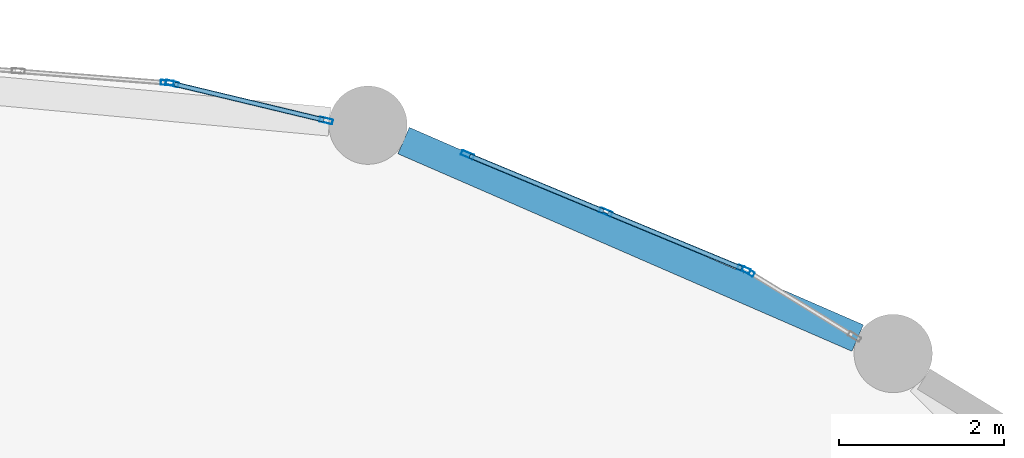
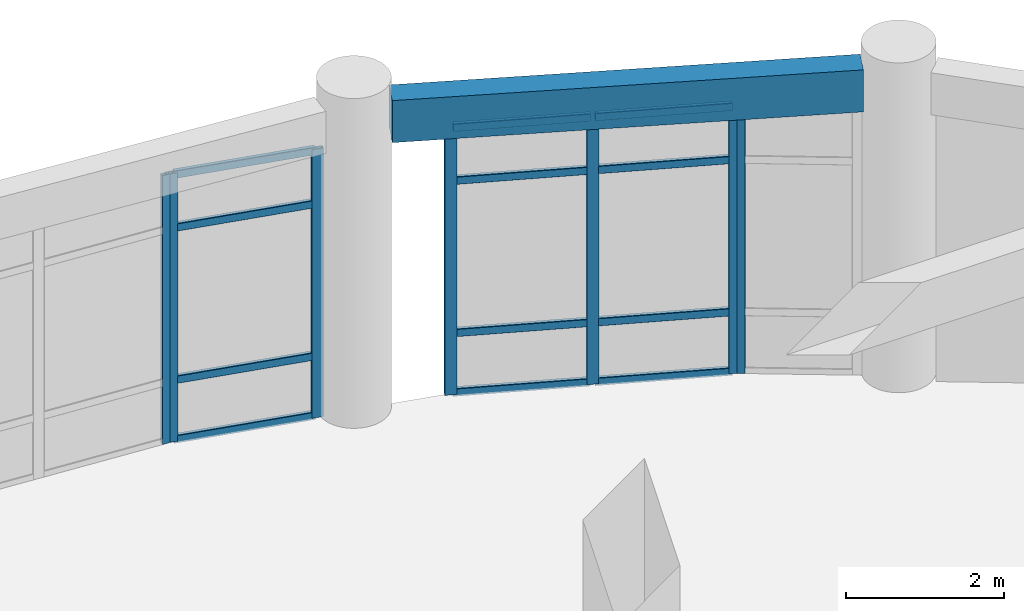
# One storey, part 84 of 120: 19 members, 1 beam, 4 elements without a shape of their own.
"""IFC4 building model written with IfcOpenShell, lengths in metres."""

from ifc_helpers import new_model, si_unit, derived_unit, direction, frame, origin, origin_2d, place, context, subcontext, project, spatial, rectangle, hollow_rectangle, extrude, material, layer, layer_set, material_profile, profile_set, type_object, element, aggregate, save


model = new_model("IFC4")

# Units and contexts
model_context = context("Model", 3, precision=1e-05, world=origin(), true_north=direction((0.0, 1.0)))
body_context = subcontext(model_context, "Body", "Model", "MODEL_VIEW")
ifc_project = project(units=[si_unit("LENGTHUNIT", "METRE"), si_unit("AREAUNIT", "SQUARE_METRE"), si_unit("VOLUMEUNIT", "CUBIC_METRE"), si_unit("PLANEANGLEUNIT", "RADIAN"), si_unit("MASSUNIT", "GRAM", prefix="KILO"), derived_unit("THERMALTRANSMITTANCEUNIT", [(si_unit("MASSUNIT", "GRAM", prefix="KILO"), 1), (si_unit("TIMEUNIT", "SECOND"), -3), (si_unit("THERMODYNAMICTEMPERATUREUNIT", "KELVIN"), -1)])], contexts=[model_context])

# Site, building, storey
site_placement = place(None, origin())
site = spatial("IfcSite", under=ifc_project, at=site_placement, CompositionType="ELEMENT")
building_placement = place(site_placement, origin())
building = spatial("IfcBuilding", under=site, at=building_placement, Name="Qinzheling Arcade Emporium", CompositionType="ELEMENT")
storey_placement = place(building_placement, frame((0.0, 0.0, 11.39990234375)))
storey = spatial("IfcBuildingStorey", under=building, at=storey_placement, Name="L03", CompositionType="ELEMENT", Elevation=11.39990234375)

# Curtain wall, member
ifc_material_1 = material(Name="Anodised aluminium and solar-control double glazing", Category="aluminium")
ifc_layer = layer(ifc_material_1, 0.159912109375, Name="Anodised aluminium and solar-control double glazing", Category="aluminium")
ifc_layer_set = layer_set([ifc_layer], Name="Anodised aluminium and solar-control double glazing")
curtain_wall_type = type_object("IfcCurtainWallType", Name="Curved Ribbon Sales Curtain Wall", PredefinedType="NOTDEFINED", material=ifc_layer_set)
curtain_wall_1_placement = place(storey_placement, origin())
curtain_wall_1 = element("IfcCurtainWall", 1, at=curtain_wall_1_placement, inside=storey, type_object=curtain_wall_type, Name="Curtain Wall CW-L03-182", PredefinedType="NOTDEFINED")
ifc_material_2 = material(Name="Anodised aluminium 6063-T6", Category="aluminium")
ifc_material_profile_1 = material_profile(ifc_material_2, hollow_rectangle(XDim=0.06005859375, YDim=0.159912109375, WallThickness=0.00390625, InnerFilletRadius=0.00390625, OuterFilletRadius=0.008056640625, at=origin_2d()), Name="RHS 160x60x4", Category="aluminium")
ifc_profile_set_1 = profile_set([ifc_material_profile_1], Name="Anodised aluminium 6063-T6")
member_type_1 = type_object("IfcMemberType", Name="Curtain Wall Mullion RHS160x60", PredefinedType="MULLION", material=ifc_profile_set_1)
member_1_placement = place(storey_placement, frame((128.046142578125, 114.313232421875, 0.0), z_axis=(0.0, 0.0, 1.0), x_axis=(0.078376222365, 0.996923852542, 0.0)))
member_1 = element("IfcMember", 2, at=member_1_placement, type_object=member_type_1, Name="CW02 mullion 3", PredefinedType="MULLION", context=body_context, shape_type="SweptSolid", body=[
    extrude(hollow_rectangle(XDim=0.06005859375, YDim=0.159912109375, WallThickness=0.00390625, InnerFilletRadius=0.00390625, OuterFilletRadius=0.008056640625, at=origin_2d()), origin(), (0.0, 0.0, 1.0), 4.155029296875),
])
aggregate(curtain_wall_1, [member_1])

# Curtain wall, members
curtain_wall_2_placement = place(storey_placement, origin())
curtain_wall_2 = element("IfcCurtainWall", 3, at=curtain_wall_2_placement, inside=storey, type_object=curtain_wall_type, Name="Curtain Wall CW-L03-183", PredefinedType="NOTDEFINED")
member_2_placement = place(storey_placement, frame((128.105224609375, 114.303955078125, 0.0), z_axis=(0.0, 0.0, 1.0), x_axis=(0.233621036939, 0.972327728237, 0.0)))
member_2 = element("IfcMember", 4, at=member_2_placement, type_object=member_type_1, Name="CW02 mullion 1", PredefinedType="MULLION", context=body_context, shape_type="SweptSolid", body=[
    extrude(hollow_rectangle(XDim=0.06005859375, YDim=0.159912109375, WallThickness=0.00390625, InnerFilletRadius=0.00390625, OuterFilletRadius=0.008056640625, at=origin_2d()), origin(), (0.0, 0.0, 1.0), 4.155029296875),
])
member_3_placement = place(storey_placement, frame((129.973876953125, 113.85498046875, 0.0), z_axis=(0.0, 0.0, 1.0), x_axis=(0.233621036939, 0.972327728237, 0.0)))
member_3 = element("IfcMember", 5, at=member_3_placement, type_object=member_type_1, Name="CW02 mullion 2", PredefinedType="MULLION", context=body_context, shape_type="SweptSolid", body=[
    extrude(hollow_rectangle(XDim=0.06005859375, YDim=0.159912109375, WallThickness=0.00390625, InnerFilletRadius=0.00390625, OuterFilletRadius=0.008056640625, at=origin_2d()), origin(), (0.0, 0.0, 1.0), 4.155029296875),
])

curtain_wall_3_placement = place(storey_placement, origin())
curtain_wall_3 = element("IfcCurtainWall", 6, at=curtain_wall_3_placement, inside=storey, type_object=curtain_wall_type, Name="Curtain Wall CW-L03-184", PredefinedType="NOTDEFINED")
member_4_placement = place(storey_placement, frame((131.689697265625, 113.4384765625, 0.0), z_axis=(0.0, 0.0, 1.0), x_axis=(0.382631211784, 0.923901161255, 0.0)))
member_4 = element("IfcMember", 7, at=member_4_placement, type_object=member_type_1, Name="CW02 mullion 1", PredefinedType="MULLION", context=body_context, shape_type="SweptSolid", body=[
    extrude(hollow_rectangle(XDim=0.06005859375, YDim=0.159912109375, WallThickness=0.00390625, InnerFilletRadius=0.00390625, OuterFilletRadius=0.008056640625, at=origin_2d()), origin(), (0.0, 0.0, 1.0), 4.155029296875),
])
member_5_placement = place(storey_placement, frame((133.365478515625, 112.744384765625, 0.0), z_axis=(0.0, 0.0, 1.0), x_axis=(0.382631211784, 0.923901161255, 0.0)))
member_5 = element("IfcMember", 8, at=member_5_placement, type_object=member_type_1, Name="CW02 mullion 2", PredefinedType="MULLION", context=body_context, shape_type="SweptSolid", body=[
    extrude(hollow_rectangle(XDim=0.06005859375, YDim=0.159912109375, WallThickness=0.00390625, InnerFilletRadius=0.00390625, OuterFilletRadius=0.008056640625, at=origin_2d()), origin(), (0.0, 0.0, 1.0), 4.155029296875),
])
member_6_placement = place(storey_placement, frame((135.041259765625, 112.050537109375, 0.0), z_axis=(0.0, 0.0, 1.0), x_axis=(0.382631211784, 0.923901161255, 0.0)))
member_6 = element("IfcMember", 9, at=member_6_placement, type_object=member_type_1, Name="CW02 mullion 3", PredefinedType="MULLION", context=body_context, shape_type="SweptSolid", body=[
    extrude(hollow_rectangle(XDim=0.06005859375, YDim=0.159912109375, WallThickness=0.00390625, InnerFilletRadius=0.00390625, OuterFilletRadius=0.008056640625, at=origin_2d()), origin(), (0.0, 0.0, 1.0), 4.155029296875),
])

# Curtain wall, member
curtain_wall_4_placement = place(storey_placement, origin())
curtain_wall_4 = element("IfcCurtainWall", 10, at=curtain_wall_4_placement, inside=storey, type_object=curtain_wall_type, Name="Curtain Wall CW-L03-185", PredefinedType="NOTDEFINED")
member_7_placement = place(storey_placement, frame((135.094482421875, 112.0234375, 0.0), z_axis=(0.0, 0.0, 1.0), x_axis=(0.522427757689, 0.852683550912, 0.0)))
member_7 = element("IfcMember", 11, at=member_7_placement, type_object=member_type_1, Name="CW02 mullion 1", PredefinedType="MULLION", context=body_context, shape_type="SweptSolid", body=[
    extrude(hollow_rectangle(XDim=0.06005859375, YDim=0.159912109375, WallThickness=0.00390625, InnerFilletRadius=0.00390625, OuterFilletRadius=0.008056640625, at=origin_2d()), origin(), (0.0, 0.0, 1.0), 4.155029296875),
])
aggregate(curtain_wall_4, [member_7])

# Member
ifc_material_profile_2 = material_profile(ifc_material_2, hollow_rectangle(XDim=0.06005859375, YDim=0.1201171875, WallThickness=0.00390625, InnerFilletRadius=0.00390625, OuterFilletRadius=0.008056640625, at=origin_2d()), Name="RHS 120x60x4", Category="aluminium")
ifc_profile_set_2 = profile_set([ifc_material_profile_2], Name="Anodised aluminium 6063-T6")
member_type_2 = type_object("IfcMemberType", Name="Curtain Wall Transom RHS120x60", PredefinedType="USERDEFINED", material=ifc_profile_set_2)
member_8_placement = place(storey_placement, frame((128.13427734375, 114.296875, 0.030029296875), z_axis=(0.972345625712, -0.233546535319, 0.0), x_axis=(0.233546535319, 0.972345625712, 0.0)))
member_8 = element("IfcMember", 12, at=member_8_placement, type_object=member_type_2, Name="CW02 transom 1.1", ObjectType="TRANSOM", PredefinedType="USERDEFINED", context=body_context, shape_type="SweptSolid", body=[
    extrude(hollow_rectangle(XDim=0.06005859375, YDim=0.1201171875, WallThickness=0.00390625, InnerFilletRadius=0.00390625, OuterFilletRadius=0.008056640625, at=origin_2d()), origin(), (0.0, 0.0, 1.0), 1.86181640625),
])

member_9_placement = place(storey_placement, frame((128.13427734375, 114.296875, 0.9501953125), z_axis=(0.972345625712, -0.233546535319, 0.0), x_axis=(0.233546535319, 0.972345625712, 0.0)))
member_9 = element("IfcMember", 13, at=member_9_placement, type_object=member_type_2, Name="CW02 transom 1.2", ObjectType="TRANSOM", PredefinedType="USERDEFINED", context=body_context, shape_type="SweptSolid", body=[
    extrude(hollow_rectangle(XDim=0.06005859375, YDim=0.1201171875, WallThickness=0.00390625, InnerFilletRadius=0.00390625, OuterFilletRadius=0.008056640625, at=origin_2d()), origin(), (0.0, 0.0, 1.0), 1.86181640625),
])

member_10_placement = place(storey_placement, frame((128.13427734375, 114.296875, 3.30517578125), z_axis=(0.972345625712, -0.233546535319, 0.0), x_axis=(0.233546535319, 0.972345625712, 0.0)))
member_10 = element("IfcMember", 14, at=member_10_placement, type_object=member_type_2, Name="CW02 transom 1.3", ObjectType="TRANSOM", PredefinedType="USERDEFINED", context=body_context, shape_type="SweptSolid", body=[
    extrude(hollow_rectangle(XDim=0.06005859375, YDim=0.1201171875, WallThickness=0.00390625, InnerFilletRadius=0.00390625, OuterFilletRadius=0.008056640625, at=origin_2d()), origin(), (0.0, 0.0, 1.0), 1.86181640625),
])

member_11_placement = place(storey_placement, frame((128.13427734375, 114.296875, 4.125), z_axis=(0.972345625712, -0.233546535319, 0.0), x_axis=(0.233546535319, 0.972345625712, 0.0)))
member_11 = element("IfcMember", 15, at=member_11_placement, type_object=member_type_2, Name="CW02 transom 1.4", ObjectType="TRANSOM", PredefinedType="USERDEFINED", context=body_context, shape_type="SweptSolid", body=[
    extrude(hollow_rectangle(XDim=0.06005859375, YDim=0.1201171875, WallThickness=0.00390625, InnerFilletRadius=0.00390625, OuterFilletRadius=0.008056640625, at=origin_2d()), origin(), (0.0, 0.0, 1.0), 1.86181640625),
])

aggregate(curtain_wall_2, [member_2, member_3, member_8, member_9, member_10, member_11])

member_12_placement = place(storey_placement, frame((131.717529296875, 113.427001953125, 0.030029296875), z_axis=(0.923886196809, -0.38266734293, 0.0), x_axis=(0.38266734293, 0.923886196809, 0.0)))
member_12 = element("IfcMember", 16, at=member_12_placement, type_object=member_type_2, Name="CW02 transom 1.1", ObjectType="TRANSOM", PredefinedType="USERDEFINED", context=body_context, shape_type="SweptSolid", body=[
    extrude(hollow_rectangle(XDim=0.06005859375, YDim=0.1201171875, WallThickness=0.00390625, InnerFilletRadius=0.00390625, OuterFilletRadius=0.008056640625, at=origin_2d()), origin(), (0.0, 0.0, 1.0), 1.75390625),
])

member_13_placement = place(storey_placement, frame((131.717529296875, 113.427001953125, 0.9501953125), z_axis=(0.923886196809, -0.38266734293, 0.0), x_axis=(0.38266734293, 0.923886196809, 0.0)))
member_13 = element("IfcMember", 17, at=member_13_placement, type_object=member_type_2, Name="CW02 transom 1.2", ObjectType="TRANSOM", PredefinedType="USERDEFINED", context=body_context, shape_type="SweptSolid", body=[
    extrude(hollow_rectangle(XDim=0.06005859375, YDim=0.1201171875, WallThickness=0.00390625, InnerFilletRadius=0.00390625, OuterFilletRadius=0.008056640625, at=origin_2d()), origin(), (0.0, 0.0, 1.0), 1.75390625),
])

member_14_placement = place(storey_placement, frame((131.717529296875, 113.427001953125, 3.30517578125), z_axis=(0.923886196809, -0.38266734293, 0.0), x_axis=(0.38266734293, 0.923886196809, 0.0)))
member_14 = element("IfcMember", 18, at=member_14_placement, type_object=member_type_2, Name="CW02 transom 1.3", ObjectType="TRANSOM", PredefinedType="USERDEFINED", context=body_context, shape_type="SweptSolid", body=[
    extrude(hollow_rectangle(XDim=0.06005859375, YDim=0.1201171875, WallThickness=0.00390625, InnerFilletRadius=0.00390625, OuterFilletRadius=0.008056640625, at=origin_2d()), origin(), (0.0, 0.0, 1.0), 1.75390625),
])

member_15_placement = place(storey_placement, frame((131.717529296875, 113.427001953125, 4.125), z_axis=(0.923886196809, -0.38266734293, 0.0), x_axis=(0.38266734293, 0.923886196809, 0.0)))
member_15 = element("IfcMember", 19, at=member_15_placement, type_object=member_type_2, Name="CW02 transom 1.4", ObjectType="TRANSOM", PredefinedType="USERDEFINED", context=body_context, shape_type="SweptSolid", body=[
    extrude(hollow_rectangle(XDim=0.06005859375, YDim=0.1201171875, WallThickness=0.00390625, InnerFilletRadius=0.00390625, OuterFilletRadius=0.008056640625, at=origin_2d()), origin(), (0.0, 0.0, 1.0), 1.75390625),
])

member_16_placement = place(storey_placement, frame((133.393310546875, 112.73291015625, 0.030029296875), z_axis=(0.923935405549, -0.382548515059, 0.0), x_axis=(0.382548515059, 0.923935405549, 0.0)))
member_16 = element("IfcMember", 20, at=member_16_placement, type_object=member_type_2, Name="CW02 transom 2.1", ObjectType="TRANSOM", PredefinedType="USERDEFINED", context=body_context, shape_type="SweptSolid", body=[
    extrude(hollow_rectangle(XDim=0.06005859375, YDim=0.1201171875, WallThickness=0.00390625, InnerFilletRadius=0.00390625, OuterFilletRadius=0.008056640625, at=origin_2d()), origin(), (0.0, 0.0, 1.0), 1.753662109375),
])

member_17_placement = place(storey_placement, frame((133.393310546875, 112.73291015625, 0.9501953125), z_axis=(0.923935405549, -0.382548515059, 0.0), x_axis=(0.382548515059, 0.923935405549, 0.0)))
member_17 = element("IfcMember", 21, at=member_17_placement, type_object=member_type_2, Name="CW02 transom 2.2", ObjectType="TRANSOM", PredefinedType="USERDEFINED", context=body_context, shape_type="SweptSolid", body=[
    extrude(hollow_rectangle(XDim=0.06005859375, YDim=0.1201171875, WallThickness=0.00390625, InnerFilletRadius=0.00390625, OuterFilletRadius=0.008056640625, at=origin_2d()), origin(), (0.0, 0.0, 1.0), 1.753662109375),
])

member_18_placement = place(storey_placement, frame((133.393310546875, 112.73291015625, 3.30517578125), z_axis=(0.923935405549, -0.382548515059, 0.0), x_axis=(0.382548515059, 0.923935405549, 0.0)))
member_18 = element("IfcMember", 22, at=member_18_placement, type_object=member_type_2, Name="CW02 transom 2.3", ObjectType="TRANSOM", PredefinedType="USERDEFINED", context=body_context, shape_type="SweptSolid", body=[
    extrude(hollow_rectangle(XDim=0.06005859375, YDim=0.1201171875, WallThickness=0.00390625, InnerFilletRadius=0.00390625, OuterFilletRadius=0.008056640625, at=origin_2d()), origin(), (0.0, 0.0, 1.0), 1.753662109375),
])

member_19_placement = place(storey_placement, frame((133.393310546875, 112.73291015625, 4.125), z_axis=(0.923935405549, -0.382548515059, 0.0), x_axis=(0.382548515059, 0.923935405549, 0.0)))
member_19 = element("IfcMember", 23, at=member_19_placement, type_object=member_type_2, Name="CW02 transom 2.4", ObjectType="TRANSOM", PredefinedType="USERDEFINED", context=body_context, shape_type="SweptSolid", body=[
    extrude(hollow_rectangle(XDim=0.06005859375, YDim=0.1201171875, WallThickness=0.00390625, InnerFilletRadius=0.00390625, OuterFilletRadius=0.008056640625, at=origin_2d()), origin(), (0.0, 0.0, 1.0), 1.753662109375),
])

aggregate(curtain_wall_3, [member_4, member_5, member_6, member_12, member_13, member_14, member_15, member_16, member_17, member_18, member_19])

# Beam
ifc_material_3 = material(Name="Concrete C40", Category="concrete")
ifc_material_profile_3 = material_profile(ifc_material_3, rectangle(XDim=0.35009765625, YDim=0.64990234375, at=origin_2d()), Name="RC 350x650", Category="concrete")
ifc_profile_set_3 = profile_set([ifc_material_profile_3], Name="Concrete C40")
beam_type = type_object("IfcBeamType", Name="RC Spandrel Edge Beam 350x650 C40", PredefinedType="SPANDREL", material=ifc_profile_set_3)
beam_placement = place(storey_placement, frame((136.422119140625, 111.216064453125, 4.4951171875), z_axis=(-0.917023531374, 0.398833101569, 0.0), x_axis=(-0.398833101569, -0.917023531374, 0.0)))
element("IfcBeam", 24, at=beam_placement, inside=storey, type_object=beam_type, Name="Curved Arcade Spandrel BM-L03-CV6-B04", PredefinedType="SPANDREL", context=body_context, shape_type="SweptSolid", body=[
    extrude(rectangle(XDim=0.35009765625, YDim=0.64990234375, at=origin_2d()), origin(), (0.0, 0.0, 1.0), 6.007568359375),
])

save(model, "model.ifc")
